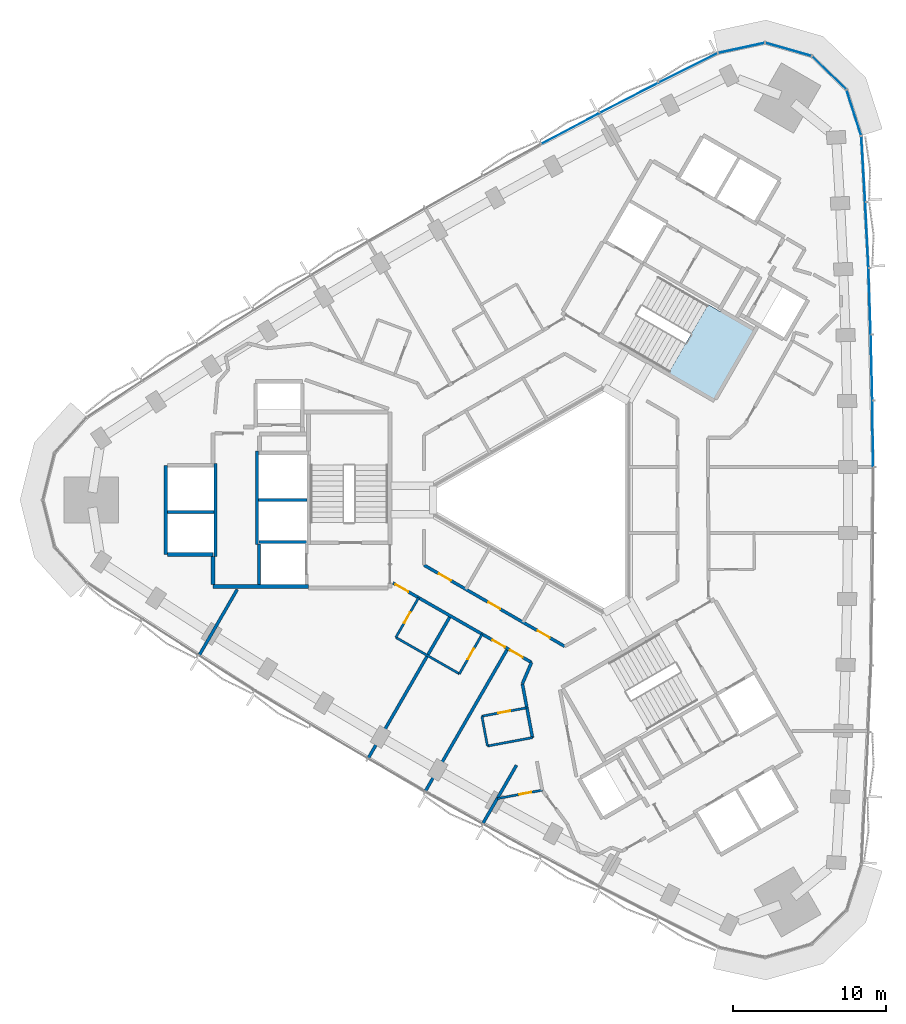
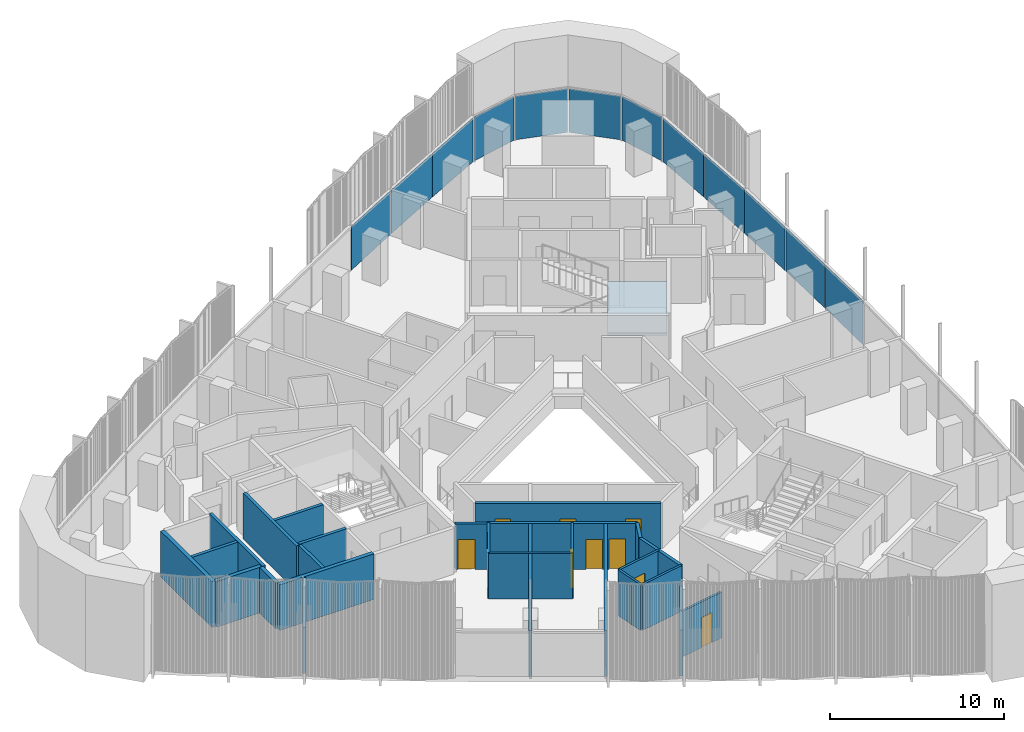
# One storey, part 7 of 15: 25 walls, 12 plates, 10 doors, 1 slab, 10 openings, 3 elements without a shape of their own.
"""IFC4 building model written with IfcOpenShell, lengths in metres."""

from ifc_helpers import new_model, si_unit, direction, frame, frame_2d, origin, origin_2d, place, context, subcontext, project, spatial, polyline, rectangle, outline, extrude, material, layer, layer_set, type_object, element, fill, aggregate, save


model = new_model("IFC4")

# Units and contexts
model_context = context("Model", 3, precision=1e-05, world=origin(), true_north=direction((0.0, 1.0)))
body_context = subcontext(model_context, "Body", "Model", "MODEL_VIEW")
ifc_project = project(units=[si_unit("LENGTHUNIT", "METRE"), si_unit("AREAUNIT", "SQUARE_METRE"), si_unit("VOLUMEUNIT", "CUBIC_METRE"), si_unit("PLANEANGLEUNIT", "RADIAN"), si_unit("MASSUNIT", "GRAM", prefix="KILO")], contexts=[model_context])

# Site, building, storey
site_placement = place(None, origin())
site = spatial("IfcSite", under=ifc_project, at=site_placement, CompositionType="ELEMENT")
building_placement = place(site_placement, origin())
building = spatial("IfcBuilding", under=site, at=building_placement, Name="Tamra Quay Hotel Tower", CompositionType="ELEMENT")
storey_placement = place(building_placement, frame((0.0, 0.0, 157.60009765625)))
storey = spatial("IfcBuildingStorey", under=building, at=storey_placement, Name="L39", CompositionType="ELEMENT", Elevation=157.60009765625)

# Stair, slab
ifc_material_1 = material(Name="Exit stair 2200 24 risers 150.0 going 342")
stair_type = type_object("IfcStairType", Name="Exit stair 2200 24 risers 150.0 going 342", PredefinedType="HALF_TURN_STAIR", material=ifc_material_1)
stair_placement = place(storey_placement, origin())
stair = element("IfcStair", 1, at=stair_placement, inside=storey, type_object=stair_type, Name="L39 Exit stair ST1", PredefinedType="HALF_TURN_STAIR")
ifc_material_2 = material(Name="Concrete M70", Category="concrete")
ifc_layer_1 = layer(ifc_material_2, 0.175048828125)
ifc_layer_set_1 = layer_set([ifc_layer_1], Name="Concrete M70 stair landing 180")
slab_type = type_object("IfcSlabType", Name="Concrete M70 stair landing 180", PredefinedType="LANDING", material=ifc_layer_set_1)
slab_placement = place(storey_placement, frame((0.0, 0.0, 1.625)))
slab = element("IfcSlab", 2, at=slab_placement, type_object=slab_type, Name="ST1 landing 1", PredefinedType="LANDING", context=body_context, shape_type="SweptSolid", body=[
    extrude(outline(polyline([(7.425048828125, 8.336669921875), (10.385009765625, 6.627685546875), (12.964599609375, 11.095458984375), (10.00439453125, 12.804443359375), (7.425048828125, 8.336669921875)])), origin(), (0.0, 0.0, 1.0), 0.1748046875),
])
aggregate(stair, [slab])

# Curtain wall, plates
ifc_material_3 = material(Name="Aluminium 6063 anodised dark grey", Category="aluminium")
curtain_wall_type_1 = type_object("IfcCurtainWallType", Name="CW1 CURTAIN WALL", PredefinedType="NOTDEFINED", material=ifc_material_3)
curtain_wall_1_placement = place(storey_placement, origin())
curtain_wall_1 = element("IfcCurtainWall", 3, at=curtain_wall_1_placement, inside=storey, type_object=curtain_wall_type_1, Name="CW1 east face L39", PredefinedType="NOTDEFINED")
ifc_material_4 = material(Name="Glass clear laminated low-iron", Category="glass")
ifc_layer_2 = layer(ifc_material_4, 0.031982421875)
ifc_layer_set_2 = layer_set([ifc_layer_2], Name="GLASS PANEL CW1 Z3")
plate_type_1 = type_object("IfcPlateType", Name="GLASS PANEL CW1 Z3", PredefinedType="CURTAIN_PANEL", material=ifc_layer_set_2)
plate_1_placement = place(storey_placement, frame((20.793701171875, 4.342041015625, -0.000244140625), z_axis=(0.0, 0.0, 1.0), x_axis=(-0.011957026787, 0.9999285122, 0.0)))
plate_1 = element("IfcPlate", 4, at=plate_1_placement, type_object=plate_type_1, Name="CW1 glass L39.E.7", PredefinedType="CURTAIN_PANEL", context=body_context, shape_type="SweptSolid", body=[
    extrude(rectangle(XDim=4.24169921875, YDim=0.031982421875, at=origin_2d()), origin(), (0.0, 0.0, 1.0), 3.06005859375),
])
plate_2_placement = place(storey_placement, frame((20.716064453125, 8.683349609375, -0.000244140625), z_axis=(0.0, 0.0, 1.0), x_axis=(-0.023896183128, 0.999714445445, 0.0)))
plate_2 = element("IfcPlate", 5, at=plate_2_placement, type_object=plate_type_1, Name="CW1 glass L39.E.8", PredefinedType="CURTAIN_PANEL", context=body_context, shape_type="SweptSolid", body=[
    extrude(rectangle(XDim=4.24267578125, YDim=0.031982421875, at=origin_2d()), origin(), (0.0, 0.0, 1.0), 3.06005859375),
])
plate_3_placement = place(storey_placement, frame((20.586181640625, 13.02392578125, -0.000244140625), z_axis=(0.0, 0.0, 1.0), x_axis=(-0.03584493651, 0.999357363773, 0.0)))
plate_3 = element("IfcPlate", 6, at=plate_3_placement, type_object=plate_type_1, Name="CW1 glass L39.E.9", PredefinedType="CURTAIN_PANEL", context=body_context, shape_type="SweptSolid", body=[
    extrude(rectangle(XDim=4.24267578125, YDim=0.031982421875, at=origin_2d()), origin(), (0.0, 0.0, 1.0), 3.06005859375),
])
plate_4_placement = place(storey_placement, frame((20.40478515625, 17.3623046875, -0.000244140625), z_axis=(0.0, 0.0, 1.0), x_axis=(-0.04774710654, 0.998859456489, 0.0)))
plate_4 = element("IfcPlate", 7, at=plate_4_placement, type_object=plate_type_1, Name="CW1 glass L39.E.10", PredefinedType="CURTAIN_PANEL", context=body_context, shape_type="SweptSolid", body=[
    extrude(rectangle(XDim=4.24169921875, YDim=0.031982421875, at=origin_2d()), origin(), (0.0, 0.0, 1.0), 3.06005859375),
])
plate_5_placement = place(storey_placement, frame((20.171630859375, 21.697998046875, -0.000244140625), z_axis=(0.0, 0.0, 1.0), x_axis=(-0.05964191564, 0.998219836458, 0.0)))
plate_5 = element("IfcPlate", 8, at=plate_5_placement, type_object=plate_type_1, Name="CW1 glass L39.E.11", PredefinedType="CURTAIN_PANEL", context=body_context, shape_type="SweptSolid", body=[
    extrude(rectangle(XDim=4.2421875, YDim=0.031982421875, at=origin_2d()), origin(), (0.0, 0.0, 1.0), 3.06005859375),
])
plate_6_placement = place(storey_placement, frame((19.55712890625, 25.374267578125, -0.000244140625), z_axis=(0.0, 0.0, 1.0), x_axis=(-0.305914777883, 0.952058899792, 0.0)))
plate_6 = element("IfcPlate", 9, at=plate_6_placement, type_object=plate_type_1, Name="CW1 glass L39.E.12", PredefinedType="CURTAIN_PANEL", context=body_context, shape_type="SweptSolid", body=[
    extrude(rectangle(XDim=3.0703125, YDim=0.031982421875, at=origin_2d()), origin(), (0.0, 0.0, 1.0), 3.06005859375),
])
plate_7_placement = place(storey_placement, frame((17.93310546875, 27.98583984375, -0.000244140625), z_axis=(0.0, 0.0, 1.0), x_axis=(-0.718584480635, 0.695439676888, 0.0)))
plate_7 = element("IfcPlate", 10, at=plate_7_placement, type_object=plate_type_1, Name="CW1 glass L39.E.13", PredefinedType="CURTAIN_PANEL", context=body_context, shape_type="SweptSolid", body=[
    extrude(rectangle(XDim=3.0703125, YDim=0.031982421875, at=origin_2d()), origin(), (0.0, 0.0, 1.0), 3.06005859375),
])
plate_8_placement = place(storey_placement, frame((15.269775390625, 29.5234375, -0.000244140625), z_axis=(0.0, 0.0, 1.0), x_axis=(-0.961560667302, 0.274592576551, 0.0)))
plate_8 = element("IfcPlate", 11, at=plate_8_placement, type_object=plate_type_1, Name="CW1 glass L39.E.14", PredefinedType="CURTAIN_PANEL", context=body_context, shape_type="SweptSolid", body=[
    extrude(rectangle(XDim=3.0703125, YDim=0.031982421875, at=origin_2d()), origin(), (0.0, 0.0, 1.0), 3.06005859375),
])
plate_9_placement = place(storey_placement, frame((12.196044921875, 29.624267578125, -0.000244140625), z_axis=(0.0, 0.0, 1.0), x_axis=(-0.97746458206, -0.211099480856, 0.0)))
plate_9 = element("IfcPlate", 12, at=plate_9_placement, type_object=plate_type_1, Name="CW1 glass L39.E.15", PredefinedType="CURTAIN_PANEL", context=body_context, shape_type="SweptSolid", body=[
    extrude(rectangle(XDim=3.0703125, YDim=0.031982421875, at=origin_2d()), origin(), (0.0, 0.0, 1.0), 3.06005859375),
])
aggregate(curtain_wall_1, [plate_1, plate_2, plate_3, plate_4, plate_5, plate_6, plate_7, plate_8, plate_9])

curtain_wall_type_2 = type_object("IfcCurtainWallType", Name="CW2 CURTAIN WALL", PredefinedType="NOTDEFINED", material=ifc_material_3)
curtain_wall_2_placement = place(storey_placement, origin())
curtain_wall_2 = element("IfcCurtainWall", 13, at=curtain_wall_2_placement, inside=storey, type_object=curtain_wall_type_2, Name="CW2 north-west face L39", PredefinedType="NOTDEFINED")
ifc_layer_3 = layer(ifc_material_4, 0.031982421875)
ifc_layer_set_3 = layer_set([ifc_layer_3], Name="GLASS PANEL CW2 Z3")
plate_type_2 = type_object("IfcPlateType", Name="GLASS PANEL CW2 Z3", PredefinedType="CURTAIN_PANEL", material=ifc_layer_set_3)
plate_10_placement = place(storey_placement, frame((8.705078125, 28.318115234375, -0.000244140625), z_axis=(0.0, 0.0, 1.0), x_axis=(-0.894304694754, -0.447458504155, 0.0)))
plate_10 = element("IfcPlate", 14, at=plate_10_placement, type_object=plate_type_2, Name="CW2 glass L39.NW.1", PredefinedType="CURTAIN_PANEL", context=body_context, shape_type="SweptSolid", body=[
    extrude(rectangle(XDim=4.2421875, YDim=0.031982421875, at=origin_2d()), origin(), (0.0, 0.0, 1.0), 3.06005859375),
])
plate_11_placement = place(storey_placement, frame((4.833740234375, 26.352294921875, -0.000244140625), z_axis=(0.0, 0.0, 1.0), x_axis=(-0.8889112174, -0.458079521023, 0.0)))
plate_11 = element("IfcPlate", 15, at=plate_11_placement, type_object=plate_type_2, Name="CW2 glass L39.NW.2", PredefinedType="CURTAIN_PANEL", context=body_context, shape_type="SweptSolid", body=[
    extrude(rectangle(XDim=4.24169921875, YDim=0.031982421875, at=origin_2d()), origin(), (0.0, 0.0, 1.0), 3.06005859375),
])
plate_12_placement = place(storey_placement, frame((0.986083984375, 24.34033203125, -0.000244140625), z_axis=(0.0, 0.0, 1.0), x_axis=(-0.883391332741, -0.468636056272, 0.0)))
plate_12 = element("IfcPlate", 16, at=plate_12_placement, type_object=plate_type_2, Name="CW2 glass L39.NW.3", PredefinedType="CURTAIN_PANEL", context=body_context, shape_type="SweptSolid", body=[
    extrude(rectangle(XDim=4.24267578125, YDim=0.031982421875, at=origin_2d()), origin(), (0.0, 0.0, 1.0), 3.06005859375),
])
aggregate(curtain_wall_2, [plate_10, plate_11, plate_12])

# Walls
ifc_layer_4 = layer(ifc_material_2, 0.199951171875)
ifc_layer_set_4 = layer_set([ifc_layer_4], Name="Concrete M70 core wall 200")
wall_type_1 = type_object("IfcWallType", Name="Concrete M70 core wall 200", PredefinedType="SHEAR", material=ifc_layer_set_4)
for number, where, z_axis, x_axis, name in (
    (17, (-19.5625, -2.900146484375, 0.0), (0.0, 0.0, 1.0), (0.0, 1.0, 0.0), "CW2"),
    (18, (-22.26220703125, 2.400146484375, 0.0), (0.0, 0.0, 1.0), (0.0, -1.0, 0.0), "CW2"),
):
    element("IfcWall", number, at=place(storey_placement, frame(where, z_axis=z_axis, x_axis=x_axis)), inside=storey, type_object=wall_type_1, Name=name, PredefinedType="SHEAR", context=body_context, shape_type="SweptSolid", body=[
        extrude(rectangle(XDim=6.100341796875, YDim=0.199951171875, at=frame_2d((3.05029296875, 0.0))), origin(), (0.0, 0.0, 1.0), 3.199951171875),
    ])
wall_1_placement = place(storey_placement, frame((-16.26318359375, 0.0, 0.0), z_axis=(0.0, 0.0, 1.0), x_axis=(-1.0, 0.0, 0.0)))
element("IfcWall", 19, at=wall_1_placement, inside=storey, type_object=wall_type_1, Name="CW2", PredefinedType="SHEAR", context=body_context, shape_type="SweptSolid", body=[
    extrude(rectangle(XDim=3.1982421875, YDim=0.199951171875, at=frame_2d((1.59912109375, 0.0))), origin(), (0.0, 0.0, 1.0), 3.199951171875),
])
wall_2_placement = place(storey_placement, frame((-22.36328125, -0.800048828125, 0.0), z_axis=(0.0, 0.0, 1.0), x_axis=(-1.0, 0.0, 0.0)))
element("IfcWall", 20, at=wall_2_placement, inside=storey, type_object=wall_type_1, Name="CW2", PredefinedType="SHEAR", context=body_context, shape_type="SweptSolid", body=[
    extrude(rectangle(XDim=3.048095703125, YDim=0.199951171875, at=frame_2d((1.52392578125, 0.0))), origin(), (0.0, 0.0, 1.0), 3.199951171875),
])
wall_3_placement = place(storey_placement, frame((-19.412353515625, -2.75, 0.0), z_axis=(0.0, 0.0, 1.0), x_axis=(1.0, 0.0, 0.0)))
element("IfcWall", 21, at=wall_3_placement, inside=storey, type_object=wall_type_1, Name="CW2", PredefinedType="SHEAR", context=body_context, shape_type="SweptSolid", body=[
    extrude(rectangle(XDim=3.10009765625, YDim=0.199951171875, at=frame_2d((1.550048828125, 0.0))), origin(), (0.0, 0.0, 1.0), 3.199951171875),
])
wall_4_placement = place(storey_placement, frame((-19.412353515625, -5.549072265625, 0.0), z_axis=(0.0, 0.0, 1.0), x_axis=(0.0, 1.0, 0.0)))
element("IfcWall", 22, at=wall_4_placement, inside=storey, type_object=wall_type_1, Name="CW2", PredefinedType="SHEAR", context=body_context, shape_type="SweptSolid", body=[
    extrude(rectangle(XDim=2.65087890625, YDim=0.199951171875, at=frame_2d((1.325439453125, 0.0))), origin(), (0.0, 0.0, 1.0), 3.199951171875),
])
ifc_layer_5 = layer(ifc_material_2, 0.25)
ifc_layer_set_5 = layer_set([ifc_layer_5], Name="Concrete M70 core wall 250")
wall_type_2 = type_object("IfcWallType", Name="Concrete M70 core wall 250", PredefinedType="SHEAR", material=ifc_layer_set_5)
wall_5_placement = place(storey_placement, frame((-16.187255859375, -5.675048828125, 0.0), z_axis=(0.0, 0.0, 1.0), x_axis=(-1.0, 0.0, 0.0)))
element("IfcWall", 23, at=wall_5_placement, inside=storey, type_object=wall_type_2, Name="CW1", PredefinedType="SHEAR", context=body_context, shape_type="SweptSolid", body=[
    extrude(rectangle(XDim=6.25, YDim=0.25, at=frame_2d((3.125, 0.0))), origin(), (0.0, 0.0, 1.0), 3.199951171875),
])
wall_6_placement = place(storey_placement, frame((-25.537353515625, -3.574951171875, 0.0), z_axis=(0.0, 0.0, 1.0), x_axis=(0.0, 1.0, 0.0)))
element("IfcWall", 24, at=wall_6_placement, inside=storey, type_object=wall_type_2, Name="CW1", PredefinedType="SHEAR", context=body_context, shape_type="SweptSolid", body=[
    extrude(rectangle(XDim=5.849853515625, YDim=0.25, at=frame_2d((2.9248046875, 0.0))), origin(), (0.0, 0.0, 1.0), 3.199951171875),
])
wall_7_placement = place(storey_placement, frame((-22.437255859375, -3.574951171875, 0.0), z_axis=(0.0, 0.0, 1.0), x_axis=(-1.0, 0.0, 0.0)))
element("IfcWall", 25, at=wall_7_placement, inside=storey, type_object=wall_type_2, Name="CW1", PredefinedType="SHEAR", context=body_context, shape_type="SweptSolid", body=[
    extrude(rectangle(XDim=2.974609375, YDim=0.25, at=frame_2d((1.4873046875, 0.0))), origin(), (0.0, 0.0, 1.0), 3.199951171875),
])
wall_8_placement = place(storey_placement, frame((-22.437255859375, -5.549560546875, 0.0), z_axis=(0.0, 0.0, 1.0), x_axis=(0.0, 1.0, 0.0)))
element("IfcWall", 26, at=wall_8_placement, inside=storey, type_object=wall_type_2, Name="CW1", PredefinedType="SHEAR", context=body_context, shape_type="SweptSolid", body=[
    extrude(rectangle(XDim=1.84912109375, YDim=0.25, at=frame_2d((0.924560546875, 0.0))), origin(), (0.0, 0.0, 1.0), 3.199951171875),
])

# Wall, openings, doors
ifc_material_5 = material(Name="Partition corridor wall")
ifc_layer_6 = layer(ifc_material_5, 0.199951171875)
ifc_layer_set_6 = layer_set([ifc_layer_6], Name="Partition corridor wall")
wall_type_3 = type_object("IfcWallType", Name="Partition corridor wall", PredefinedType="PARTITIONING", material=ifc_layer_set_6)
wall_9_placement = place(storey_placement, frame((-10.64208984375, -5.43994140625, 0.0), z_axis=(0.0, 0.0, 1.0), x_axis=(0.867610688994, -0.497244097344, 0.0)))
wall_9 = element("IfcWall", 27, at=wall_9_placement, inside=storey, type_object=wall_type_3, Name="W-C", PredefinedType="PARTITIONING", context=body_context, shape_type="SweptSolid", body=[
    extrude(rectangle(XDim=10.4638671875, YDim=0.199951171875, at=frame_2d((5.23193359375, 0.0))), origin(), (0.0, 0.0, 1.0), 3.199951171875),
])
opening_1_placement = place(wall_9_placement, frame((0.199951171875, 0.0, 0.0)))
opening_1 = element("IfcOpeningElement", 28, at=opening_1_placement, cuts=wall_9, Name="Opening L39-D014", PredefinedType="OPENING", context=body_context, shape_type="SweptSolid", body=[
    extrude(rectangle(XDim=0.949951171875, YDim=2.10009765625, at=frame_2d((0.47509765625, 1.050048828125))), frame((0.0, 0.10986328125, 0.0), z_axis=(0.0, -1.0, 0.0), x_axis=(1.0, 0.0, 0.0)), (0.0, 0.0, 1.0), 0.219970703125),
])
opening_2_placement = place(wall_9_placement, frame((7.519287109375, 0.0, 0.0)))
opening_2 = element("IfcOpeningElement", 29, at=opening_2_placement, cuts=wall_9, Name="Opening L39-D016", PredefinedType="OPENING", context=body_context, shape_type="SweptSolid", body=[
    extrude(rectangle(XDim=0.949951171875, YDim=2.10009765625, at=frame_2d((0.47509765625, 1.050048828125))), frame((0.0, 0.10986328125, 0.0), z_axis=(0.0, -1.0, 0.0), x_axis=(1.0, 0.0, 0.0)), (0.0, 0.0, 1.0), 0.219970703125),
])
opening_3_placement = place(wall_9_placement, frame((8.84619140625, 0.0, 0.0)))
opening_3 = element("IfcOpeningElement", 30, at=opening_3_placement, cuts=wall_9, Name="Opening L39-D018", PredefinedType="OPENING", context=body_context, shape_type="SweptSolid", body=[
    extrude(rectangle(XDim=0.949951171875, YDim=2.10009765625, at=frame_2d((0.47509765625, 1.050048828125))), frame((0.0, 0.10986328125, 0.0), z_axis=(0.0, -1.0, 0.0), x_axis=(1.0, 0.0, 0.0)), (0.0, 0.0, 1.0), 0.219970703125),
])
ifc_material_6 = material(Name="Door guest room 950x2100")
door_type_1 = type_object("IfcDoorType", Name="Door guest room 950x2100", OperationType="NOTDEFINED", PredefinedType="DOOR", material=ifc_material_6)
door_1_placement = place(opening_1_placement, frame((0.949951171875, 0.0, 0.0), z_axis=(0.0, 0.0, 1.0), x_axis=(-1.0, 0.0, 0.0)))
door_1 = element("IfcDoor", 31, at=door_1_placement, inside=storey, type_object=door_type_1, Name="L39-D014", OperationType="SINGLE_SWING_LEFT", OverallHeight=2.10009765625, OverallWidth=0.949951171875, PredefinedType="DOOR", context=body_context, shape_type="SweptSolid", body=[
    extrude(rectangle(XDim=0.949951171875, YDim=2.10009765625, at=frame_2d((0.47509765625, 1.050048828125))), frame((0.0, 0.02490234375, 0.0), z_axis=(0.0, -1.0, 0.0), x_axis=(1.0, 0.0, 0.0)), (0.0, 0.0, 1.0), 0.050048828125),
])
fill(opening_1, door_1)
door_2_placement = place(opening_2_placement, frame((0.949951171875, 0.0, 0.0), z_axis=(0.0, 0.0, 1.0), x_axis=(-1.0, 0.0, 0.0)))
door_2 = element("IfcDoor", 32, at=door_2_placement, inside=storey, type_object=door_type_1, Name="L39-D016", OperationType="SINGLE_SWING_LEFT", OverallHeight=2.10009765625, OverallWidth=0.949951171875, PredefinedType="DOOR", context=body_context, shape_type="SweptSolid", body=[
    extrude(rectangle(XDim=0.949951171875, YDim=2.10009765625, at=frame_2d((0.47509765625, 1.050048828125))), frame((0.0, 0.02490234375, 0.0), z_axis=(0.0, -1.0, 0.0), x_axis=(1.0, 0.0, 0.0)), (0.0, 0.0, 1.0), 0.050048828125),
])
fill(opening_2, door_2)
door_3_placement = place(opening_3_placement, frame((0.949951171875, 0.0, 0.0), z_axis=(0.0, 0.0, 1.0), x_axis=(-1.0, 0.0, 0.0)))
door_3 = element("IfcDoor", 33, at=door_3_placement, inside=storey, type_object=door_type_1, Name="L39-D018", OperationType="SINGLE_SWING_LEFT", OverallHeight=2.10009765625, OverallWidth=0.949951171875, PredefinedType="DOOR", context=body_context, shape_type="SweptSolid", body=[
    extrude(rectangle(XDim=0.949951171875, YDim=2.10009765625, at=frame_2d((0.47509765625, 1.050048828125))), frame((0.0, 0.02490234375, 0.0), z_axis=(0.0, -1.0, 0.0), x_axis=(1.0, 0.0, 0.0)), (0.0, 0.0, 1.0), 0.050048828125),
])
fill(opening_3, door_3)

wall_10_placement = place(storey_placement, frame((-8.612060546875, -4.264892578125, 0.0), z_axis=(0.0, 0.0, 1.0), x_axis=(0.865984415152, -0.500070987675, 0.0)))
wall_10 = element("IfcWall", 34, at=wall_10_placement, inside=storey, type_object=wall_type_3, Name="W-C", PredefinedType="PARTITIONING", context=body_context, shape_type="SweptSolid", body=[
    extrude(rectangle(XDim=10.6513671875, YDim=0.199951171875, at=frame_2d((5.32568359375, 0.0))), origin(), (0.0, 0.0, 1.0), 3.199951171875),
])
opening_4_placement = place(wall_10_placement, frame((1.1376953125, 0.0, 0.0)))
opening_4 = element("IfcOpeningElement", 35, at=opening_4_placement, cuts=wall_10, Name="Opening L39-D030", PredefinedType="OPENING", context=body_context, shape_type="SweptSolid", body=[
    extrude(rectangle(XDim=0.89990234375, YDim=2.10009765625, at=frame_2d((0.449951171875, 1.050048828125))), frame((0.0, 0.10986328125, 0.0), z_axis=(0.0, -1.0, 0.0), x_axis=(1.0, 0.0, 0.0)), (0.0, 0.0, 1.0), 0.219970703125),
])
opening_5_placement = place(wall_10_placement, frame((4.8759765625, 0.0, 0.0)))
opening_5 = element("IfcOpeningElement", 36, at=opening_5_placement, cuts=wall_10, Name="Opening L39-D031", PredefinedType="OPENING", context=body_context, shape_type="SweptSolid", body=[
    extrude(rectangle(XDim=0.89990234375, YDim=2.10009765625, at=frame_2d((0.449951171875, 1.050048828125))), frame((0.0, 0.10986328125, 0.0), z_axis=(0.0, -1.0, 0.0), x_axis=(1.0, 0.0, 0.0)), (0.0, 0.0, 1.0), 0.219970703125),
])
opening_6_placement = place(wall_10_placement, frame((8.61328125, 0.0, 0.0)))
opening_6 = element("IfcOpeningElement", 37, at=opening_6_placement, cuts=wall_10, Name="Opening L39-D032", PredefinedType="OPENING", context=body_context, shape_type="SweptSolid", body=[
    extrude(rectangle(XDim=0.89990234375, YDim=2.10009765625, at=frame_2d((0.449951171875, 1.050048828125))), frame((0.0, 0.10986328125, 0.0), z_axis=(0.0, -1.0, 0.0), x_axis=(1.0, 0.0, 0.0)), (0.0, 0.0, 1.0), 0.219970703125),
])
ifc_material_7 = material(Name="Door service room 900x2100")
door_type_2 = type_object("IfcDoorType", Name="Door service room 900x2100", OperationType="NOTDEFINED", PredefinedType="DOOR", material=ifc_material_7)
door_4_placement = place(opening_4_placement, origin())
door_4 = element("IfcDoor", 38, at=door_4_placement, inside=storey, type_object=door_type_2, Name="L39-D030", OperationType="SINGLE_SWING_LEFT", OverallHeight=2.10009765625, OverallWidth=0.89990234375, PredefinedType="DOOR", context=body_context, shape_type="SweptSolid", body=[
    extrude(rectangle(XDim=0.89990234375, YDim=2.10009765625, at=frame_2d((0.449951171875, 1.050048828125))), frame((0.0, 0.02490234375, 0.0), z_axis=(0.0, -1.0, 0.0), x_axis=(1.0, 0.0, 0.0)), (0.0, 0.0, 1.0), 0.050048828125),
])
fill(opening_4, door_4)
door_5_placement = place(opening_5_placement, origin())
door_5 = element("IfcDoor", 39, at=door_5_placement, inside=storey, type_object=door_type_2, Name="L39-D031", OperationType="SINGLE_SWING_LEFT", OverallHeight=2.10009765625, OverallWidth=0.89990234375, PredefinedType="DOOR", context=body_context, shape_type="SweptSolid", body=[
    extrude(rectangle(XDim=0.89990234375, YDim=2.10009765625, at=frame_2d((0.449951171875, 1.050048828125))), frame((0.0, 0.02490234375, 0.0), z_axis=(0.0, -1.0, 0.0), x_axis=(1.0, 0.0, 0.0)), (0.0, 0.0, 1.0), 0.050048828125),
])
fill(opening_5, door_5)
door_6_placement = place(opening_6_placement, origin())
door_6 = element("IfcDoor", 40, at=door_6_placement, inside=storey, type_object=door_type_2, Name="L39-D032", OperationType="SINGLE_SWING_LEFT", OverallHeight=2.10009765625, OverallWidth=0.89990234375, PredefinedType="DOOR", context=body_context, shape_type="SweptSolid", body=[
    extrude(rectangle(XDim=0.89990234375, YDim=2.10009765625, at=frame_2d((0.449951171875, 1.050048828125))), frame((0.0, 0.02490234375, 0.0), z_axis=(0.0, -1.0, 0.0), x_axis=(1.0, 0.0, 0.0)), (0.0, 0.0, 1.0), 0.050048828125),
])
fill(opening_6, door_6)

# Walls
wall_11_placement = place(storey_placement, frame((-2.162109375, -12.0419921875, 0.0), z_axis=(0.0, 0.0, 1.0), x_axis=(0.183572226488, -0.983006224631, 0.0)))
element("IfcWall", 41, at=wall_11_placement, inside=storey, type_object=wall_type_3, Name="W-C", PredefinedType="PARTITIONING", context=body_context, shape_type="SweptSolid", body=[
    extrude(rectangle(XDim=3.6015625, YDim=0.199951171875, at=frame_2d((1.80078125, 0.0))), origin(), (0.0, 0.0, 1.0), 3.199951171875),
])
wall_12_placement = place(storey_placement, frame((-2.162109375, -12.041015625, 0.0), z_axis=(0.0, 0.0, 1.0), x_axis=(0.393609042413, 0.919277934974, 0.0)))
element("IfcWall", 42, at=wall_12_placement, inside=storey, type_object=wall_type_3, Name="W-C", PredefinedType="PARTITIONING", context=body_context, shape_type="SweptSolid", body=[
    extrude(rectangle(XDim=1.51953125, YDim=0.199951171875, at=frame_2d((0.759765625, 0.0))), origin(), (0.0, 0.0, 1.0), 3.199951171875),
])

# Wall, opening, door
ifc_material_8 = material(Name="Partition en-suite wall")
ifc_layer_7 = layer(ifc_material_8, 0.14990234375)
ifc_layer_set_7 = layer_set([ifc_layer_7], Name="Partition en-suite wall")
wall_type_4 = type_object("IfcWallType", Name="Partition en-suite wall", PredefinedType="PARTITIONING", material=ifc_layer_set_7)
wall_13_placement = place(storey_placement, frame((-10.4541015625, -9.0029296875, 0.0), z_axis=(0.0, 0.0, 1.0), x_axis=(0.49740127306, 0.867520589703, 0.0)))
wall_13 = element("IfcWall", 43, at=wall_13_placement, inside=storey, type_object=wall_type_4, Name="W-E", PredefinedType="PARTITIONING", context=body_context, shape_type="SweptSolid", body=[
    extrude(rectangle(XDim=2.998046875, YDim=0.14990234375, at=frame_2d((1.4990234375, 0.0))), origin(), (0.0, 0.0, 1.0), 3.199951171875),
])
opening_7_placement = place(wall_13_placement, frame((1.097900390625, 0.0, 0.0)))
opening_7 = element("IfcOpeningElement", 44, at=opening_7_placement, cuts=wall_13, Name="Opening L39-D015", PredefinedType="OPENING", context=body_context, shape_type="SweptSolid", body=[
    extrude(rectangle(XDim=0.800048828125, YDim=2.10009765625, at=frame_2d((0.39990234375, 1.050048828125))), frame((0.0, 0.0849609375, 0.0), z_axis=(0.0, -1.0, 0.0), x_axis=(1.0, 0.0, 0.0)), (0.0, 0.0, 1.0), 0.169921875),
])
ifc_material_9 = material(Name="Door en-suite 800x2100")
door_type_3 = type_object("IfcDoorType", Name="Door en-suite 800x2100", OperationType="NOTDEFINED", PredefinedType="DOOR", material=ifc_material_9)
door_7_placement = place(opening_7_placement, origin())
door_7 = element("IfcDoor", 45, at=door_7_placement, inside=storey, type_object=door_type_3, Name="L39-D015", OperationType="SINGLE_SWING_LEFT", OverallHeight=2.10009765625, OverallWidth=0.800048828125, PredefinedType="DOOR", context=body_context, shape_type="SweptSolid", body=[
    extrude(rectangle(XDim=0.800048828125, YDim=2.10009765625, at=frame_2d((0.39990234375, 1.050048828125))), frame((0.0, 0.02490234375, 0.0), z_axis=(0.0, -1.0, 0.0), x_axis=(1.0, 0.0, 0.0)), (0.0, 0.0, 1.0), 0.050048828125),
])
fill(opening_7, door_7)

# Wall
wall_14_placement = place(storey_placement, frame((-10.452880859375, -9.006103515625, 0.0), z_axis=(0.0, 0.0, 1.0), x_axis=(0.86760039778, -0.49726205342, 0.0)))
element("IfcWall", 46, at=wall_14_placement, inside=storey, type_object=wall_type_4, Name="W-E", PredefinedType="PARTITIONING", context=body_context, shape_type="SweptSolid", body=[
    extrude(rectangle(XDim=4.79736328125, YDim=0.14990234375, at=frame_2d((2.398681640625, 0.0))), origin(), (0.0, 0.0, 1.0), 3.199951171875),
])

# Wall, opening, door
wall_15_placement = place(storey_placement, frame((-6.291015625, -11.39208984375, 0.0), z_axis=(0.0, 0.0, 1.0), x_axis=(0.497409432693, 0.867515911248, 0.0)))
wall_15 = element("IfcWall", 47, at=wall_15_placement, inside=storey, type_object=wall_type_4, Name="W-E", PredefinedType="PARTITIONING", context=body_context, shape_type="SweptSolid", body=[
    extrude(rectangle(XDim=2.99951171875, YDim=0.14990234375, at=frame_2d((1.499755859375, 0.0))), origin(), (0.0, 0.0, 1.0), 3.199951171875),
])
opening_8_placement = place(wall_15_placement, frame((1.099609375, 0.0, 0.0)))
opening_8 = element("IfcOpeningElement", 48, at=opening_8_placement, cuts=wall_15, Name="Opening L39-D017", PredefinedType="OPENING", context=body_context, shape_type="SweptSolid", body=[
    extrude(rectangle(XDim=0.800048828125, YDim=2.10009765625, at=frame_2d((0.39990234375, 1.050048828125))), frame((0.0, 0.0849609375, 0.0), z_axis=(0.0, -1.0, 0.0), x_axis=(1.0, 0.0, 0.0)), (0.0, 0.0, 1.0), 0.169921875),
])
door_8_placement = place(opening_8_placement, origin())
door_8 = element("IfcDoor", 49, at=door_8_placement, inside=storey, type_object=door_type_3, Name="L39-D017", OperationType="SINGLE_SWING_LEFT", OverallHeight=2.10009765625, OverallWidth=0.800048828125, PredefinedType="DOOR", context=body_context, shape_type="SweptSolid", body=[
    extrude(rectangle(XDim=0.800048828125, YDim=2.10009765625, at=frame_2d((0.39990234375, 1.050048828125))), frame((0.0, 0.02490234375, 0.0), z_axis=(0.0, -1.0, 0.0), x_axis=(1.0, 0.0, 0.0)), (0.0, 0.0, 1.0), 0.050048828125),
])
fill(opening_8, door_8)

# Wall
wall_16_placement = place(storey_placement, frame((-4.81689453125, -14.166015625, 0.0), z_axis=(0.0, 0.0, 1.0), x_axis=(0.183903339385, -0.982944332993, 0.0)))
element("IfcWall", 50, at=wall_16_placement, inside=storey, type_object=wall_type_4, Name="W-E", PredefinedType="PARTITIONING", context=body_context, shape_type="SweptSolid", body=[
    extrude(rectangle(XDim=1.989990234375, YDim=0.14990234375, at=frame_2d((0.9951171875, 0.0))), origin(), (0.0, 0.0, 1.0), 3.199951171875),
])

# Wall, opening, door
wall_17_placement = place(storey_placement, frame((-4.81689453125, -14.166015625, 0.0), z_axis=(0.0, 0.0, 1.0), x_axis=(0.982987155193, 0.183674311555, 0.0)))
wall_17 = element("IfcWall", 51, at=wall_17_placement, inside=storey, type_object=wall_type_4, Name="W-E", PredefinedType="PARTITIONING", context=body_context, shape_type="SweptSolid", body=[
    extrude(rectangle(XDim=3.0, YDim=0.14990234375, at=frame_2d((1.5, 0.0))), origin(), (0.0, 0.0, 1.0), 3.199951171875),
])
opening_9_placement = place(wall_17_placement, frame((1.100341796875, 0.0, 0.0)))
opening_9 = element("IfcOpeningElement", 52, at=opening_9_placement, cuts=wall_17, Name="Opening L39-D019", PredefinedType="OPENING", context=body_context, shape_type="SweptSolid", body=[
    extrude(rectangle(XDim=0.800048828125, YDim=2.10009765625, at=frame_2d((0.39990234375, 1.050048828125))), frame((0.0, 0.0849609375, 0.0), z_axis=(0.0, -1.0, 0.0), x_axis=(1.0, 0.0, 0.0)), (0.0, 0.0, 1.0), 0.169921875),
])
door_9_placement = place(opening_9_placement, frame((0.800048828125, 0.0, 0.0), z_axis=(0.0, 0.0, 1.0), x_axis=(-1.0, 0.0, 0.0)))
door_9 = element("IfcDoor", 53, at=door_9_placement, inside=storey, type_object=door_type_3, Name="L39-D019", OperationType="SINGLE_SWING_LEFT", OverallHeight=2.10009765625, OverallWidth=0.800048828125, PredefinedType="DOOR", context=body_context, shape_type="SweptSolid", body=[
    extrude(rectangle(XDim=0.800048828125, YDim=2.10009765625, at=frame_2d((0.39990234375, 1.050048828125))), frame((0.0, 0.02490234375, 0.0), z_axis=(0.0, -1.0, 0.0), x_axis=(1.0, 0.0, 0.0)), (0.0, 0.0, 1.0), 0.050048828125),
])
fill(opening_9, door_9)

# Wall
wall_18_placement = place(storey_placement, frame((-4.450927734375, -16.1220703125, 0.0), z_axis=(0.0, 0.0, 1.0), x_axis=(0.982928336035, 0.18398882091, 0.0)))
element("IfcWall", 54, at=wall_18_placement, inside=storey, type_object=wall_type_4, Name="W-E", PredefinedType="PARTITIONING", context=body_context, shape_type="SweptSolid", body=[
    extrude(rectangle(XDim=3.000244140625, YDim=0.14990234375, at=frame_2d((1.5, 0.0))), origin(), (0.0, 0.0, 1.0), 3.199951171875),
])

# Wall, opening, door
wall_19_placement = place(storey_placement, frame((-3.806884765625, -19.56591796875, 0.0), z_axis=(0.0, 0.0, 1.0), x_axis=(0.982987155193, 0.183674311555, 0.0)))
wall_19 = element("IfcWall", 55, at=wall_19_placement, inside=storey, type_object=wall_type_4, Name="W-E", PredefinedType="PARTITIONING", context=body_context, shape_type="SweptSolid", body=[
    extrude(rectangle(XDim=3.0, YDim=0.14990234375, at=frame_2d((1.5, 0.0))), origin(), (0.0, 0.0, 1.0), 3.199951171875),
])
opening_10_placement = place(wall_19_placement, frame((1.4599609375, 0.0, 0.0)))
opening_10 = element("IfcOpeningElement", 56, at=opening_10_placement, cuts=wall_19, Name="Opening L39-D022", PredefinedType="OPENING", context=body_context, shape_type="SweptSolid", body=[
    extrude(rectangle(XDim=0.800048828125, YDim=2.10009765625, at=frame_2d((0.39990234375, 1.050048828125))), frame((0.0, 0.0849609375, 0.0), z_axis=(0.0, -1.0, 0.0), x_axis=(1.0, 0.0, 0.0)), (0.0, 0.0, 1.0), 0.169921875),
])
door_10_placement = place(opening_10_placement, frame((0.800048828125, 0.0, 0.0), z_axis=(0.0, 0.0, 1.0), x_axis=(-1.0, 0.0, 0.0)))
door_10 = element("IfcDoor", 57, at=door_10_placement, inside=storey, type_object=door_type_3, Name="L39-D022", OperationType="SINGLE_SWING_LEFT", OverallHeight=2.10009765625, OverallWidth=0.800048828125, PredefinedType="DOOR", context=body_context, shape_type="SweptSolid", body=[
    extrude(rectangle(XDim=0.800048828125, YDim=2.10009765625, at=frame_2d((0.39990234375, 1.050048828125))), frame((0.0, 0.02490234375, 0.0), z_axis=(0.0, -1.0, 0.0), x_axis=(1.0, 0.0, 0.0)), (0.0, 0.0, 1.0), 0.050048828125),
])
fill(opening_10, door_10)

# Walls
ifc_material_10 = material(Name="Partition party wall")
ifc_layer_8 = layer(ifc_material_10, 0.199951171875)
ifc_layer_set_8 = layer_set([ifc_layer_8], Name="Partition party wall")
wall_type_5 = type_object("IfcWallType", Name="Partition party wall", PredefinedType="PARTITIONING", material=ifc_layer_set_8)
wall_20_placement = place(storey_placement, frame((-23.3505859375, -10.19677734375, 0.0), z_axis=(0.0, 0.0, 1.0), x_axis=(0.499872996861, 0.866098716665, 0.0)))
element("IfcWall", 58, at=wall_20_placement, inside=storey, type_object=wall_type_5, Name="W-P", PredefinedType="PARTITIONING", context=body_context, shape_type="SweptSolid", body=[
    extrude(rectangle(XDim=5.007080078125, YDim=0.199951171875, at=frame_2d((2.50341796875, 0.0))), origin(), (0.0, 0.0, 1.0), 3.199951171875),
])
wall_21_placement = place(storey_placement, frame((-12.278076171875, -16.946044921875, 0.0), z_axis=(0.0, 0.0, 1.0), x_axis=(0.499882324153, 0.866093333307, 0.0)))
element("IfcWall", 59, at=wall_21_placement, inside=storey, type_object=wall_type_5, Name="W-P", PredefinedType="PARTITIONING", context=body_context, shape_type="SweptSolid", body=[
    extrude(rectangle(XDim=10.7958984375, YDim=0.199951171875, at=frame_2d((5.39794921875, 0.0))), origin(), (0.0, 0.0, 1.0), 3.199951171875),
])
wall_22_placement = place(storey_placement, frame((-8.535400390625, -19.10693359375, 0.0), z_axis=(0.0, 0.0, 1.0), x_axis=(0.499987057201, 0.866032876184, 0.0)))
element("IfcWall", 60, at=wall_22_placement, inside=storey, type_object=wall_type_5, Name="W-P", PredefinedType="PARTITIONING", context=body_context, shape_type="SweptSolid", body=[
    extrude(rectangle(XDim=10.808837890625, YDim=0.199951171875, at=frame_2d((5.404296875, 0.0))), origin(), (0.0, 0.0, 1.0), 3.199951171875),
])
wall_23_placement = place(storey_placement, frame((-4.7666015625, -21.22314453125, 0.0), z_axis=(0.0, 0.0, 1.0), x_axis=(0.49992092869, 0.866071050814, 0.0)))
element("IfcWall", 61, at=wall_23_placement, inside=storey, type_object=wall_type_5, Name="W-P", PredefinedType="PARTITIONING", context=body_context, shape_type="SweptSolid", body=[
    extrude(rectangle(XDim=4.436767578125, YDim=0.199951171875, at=frame_2d((2.21826171875, 0.0))), origin(), (0.0, 0.0, 1.0), 3.199951171875),
])

save(model, "model.ifc")
